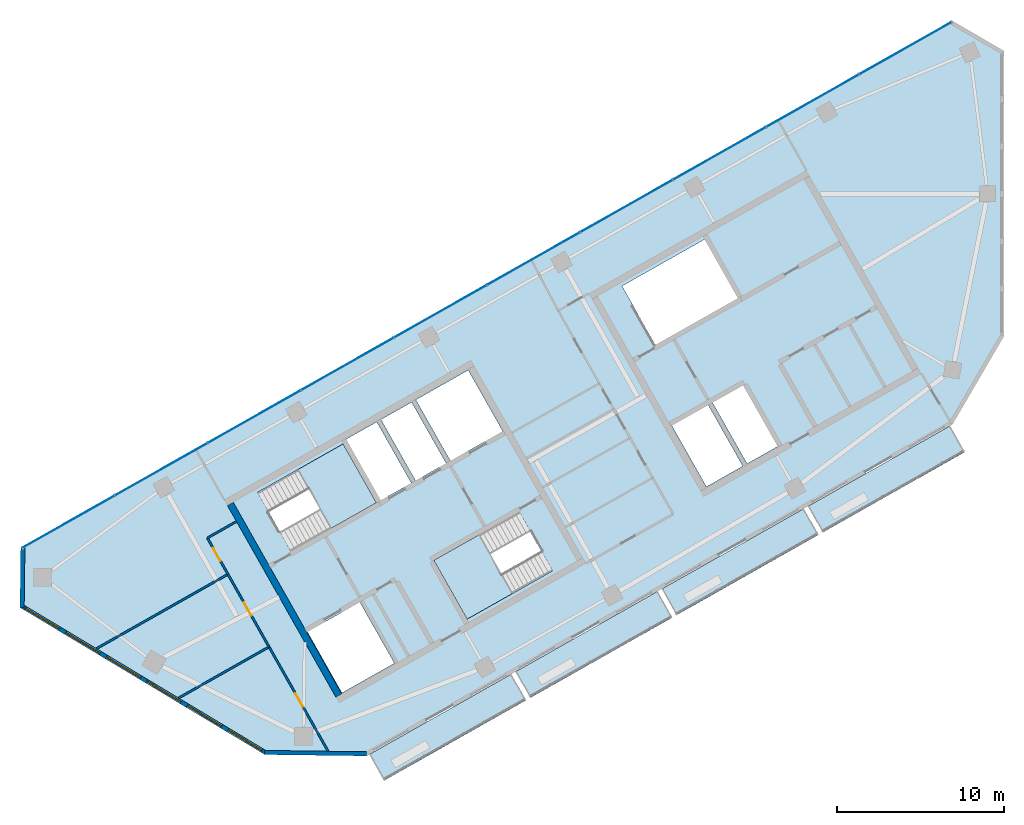
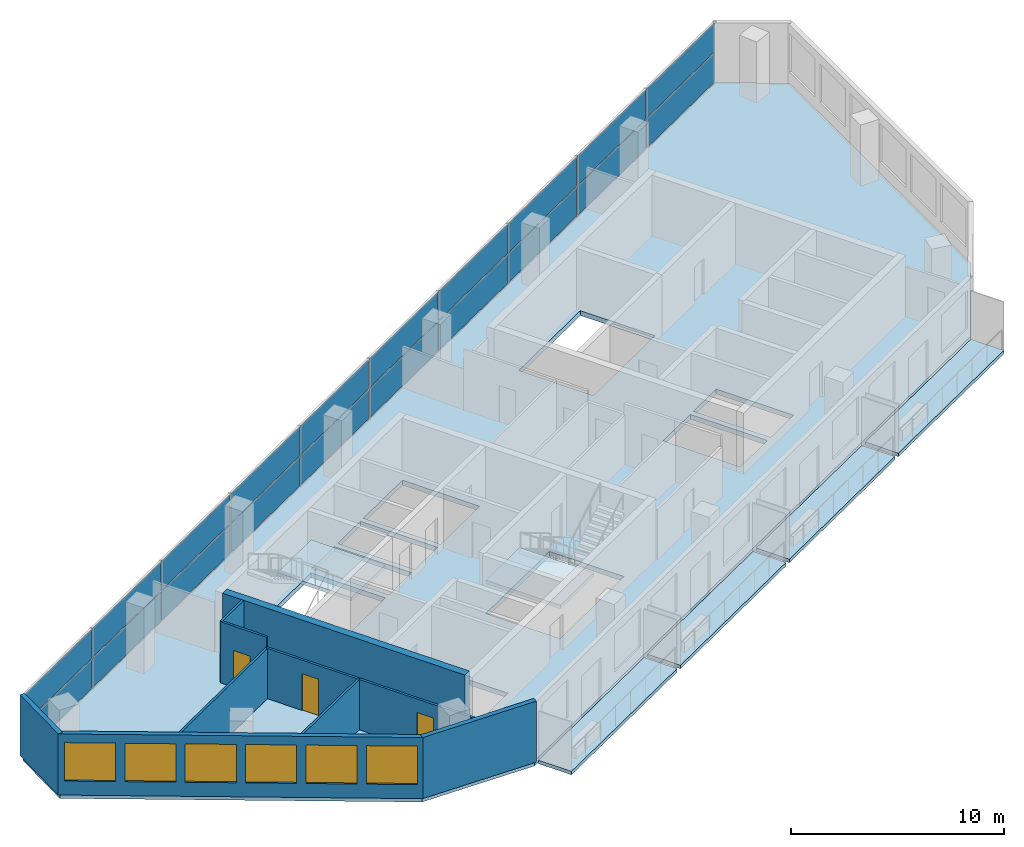
# One storey, part 5 of 10: 20 plates, 10 walls, 7 slabs, 6 windows, 3 doors, 9 openings, 3 elements without a shape of their own.
"""IFC4 building model written with IfcOpenShell, lengths in metres."""

from ifc_helpers import new_model, si_unit, direction, frame, frame_2d, origin, origin_2d, place, context, subcontext, project, spatial, polyline, rectangle, outline, extrude, material, layer, layer_set, type_object, element, fill, aggregate, save


model = new_model("IFC4")

# Units and contexts
model_context = context("Model", 3, precision=1e-05, world=origin(), true_north=direction((0.0, 1.0)))
body_context = subcontext(model_context, "Body", "Model", "MODEL_VIEW")
ifc_project = project(units=[si_unit("LENGTHUNIT", "METRE"), si_unit("AREAUNIT", "SQUARE_METRE"), si_unit("VOLUMEUNIT", "CUBIC_METRE"), si_unit("PLANEANGLEUNIT", "RADIAN"), si_unit("MASSUNIT", "GRAM", prefix="KILO")], contexts=[model_context])

# Site, building, storey
site_placement = place(None, origin())
site = spatial("IfcSite", under=ifc_project, at=site_placement, CompositionType="ELEMENT")
building_placement = place(site_placement, origin())
building = spatial("IfcBuilding", under=site, at=building_placement, Name="Binnacle Exchange Tower", CompositionType="ELEMENT")
storey_placement = place(building_placement, frame((0.0, 0.0, 343.10009765625)))
storey = spatial("IfcBuildingStorey", under=building, at=storey_placement, Name="L78", CompositionType="ELEMENT", Elevation=343.10009765625)

# Slabs
ifc_material_1 = material(Name="Concrete C35/45", Category="concrete")
ifc_layer_1 = layer(ifc_material_1, 0.199951171875)
ifc_layer_set_1 = layer_set([ifc_layer_1], Name="BALCONY SLAB 200")
slab_type_1 = type_object("IfcSlabType", Name="BALCONY SLAB 200", PredefinedType="FLOOR", material=ifc_layer_set_1)
slab_1_placement = place(storey_placement, frame((0.0, 0.0, -0.2001953125)))
element("IfcSlab", 1, at=slab_1_placement, inside=storey, type_object=slab_type_1, Name="Balcony BA-H07-00 L78", PredefinedType="FLOOR", context=body_context, shape_type="SweptSolid", body=[
    extrude(outline(polyline([(-37.90576171875, 26.410400390625), (-29.40380859375, 31.220458984375), (-28.517578125, 29.65380859375), (-37.019287109375, 24.84375), (-37.90576171875, 26.410400390625)])), origin(), (0.0, 0.0, 1.0), 0.2001953125),
])
slab_2_placement = place(storey_placement, frame((0.0, 0.0, -0.2001953125)))
element("IfcSlab", 2, at=slab_2_placement, inside=storey, type_object=slab_type_1, Name="Balcony BA-H07-01 L78", PredefinedType="FLOOR", context=body_context, shape_type="SweptSolid", body=[
    extrude(outline(polyline([(-29.142822265625, 31.3681640625), (-20.64111328125, 36.17822265625), (-19.754638671875, 34.611572265625), (-28.25634765625, 29.801513671875), (-29.142822265625, 31.3681640625)])), origin(), (0.0, 0.0, 1.0), 0.2001953125),
])
slab_3_placement = place(storey_placement, frame((0.0, 0.0, -0.2001953125)))
element("IfcSlab", 3, at=slab_3_placement, inside=storey, type_object=slab_type_1, Name="Balcony BA-H07-02 L78", PredefinedType="FLOOR", context=body_context, shape_type="SweptSolid", body=[
    extrude(outline(polyline([(-20.3798828125, 36.325927734375), (-11.878173828125, 41.135986328125), (-10.99169921875, 39.5693359375), (-19.493408203125, 34.759521484375), (-20.3798828125, 36.325927734375)])), origin(), (0.0, 0.0, 1.0), 0.2001953125),
])
slab_4_placement = place(storey_placement, frame((0.0, 0.0, -0.2001953125)))
element("IfcSlab", 4, at=slab_4_placement, inside=storey, type_object=slab_type_1, Name="Balcony BA-H07-03 L78", PredefinedType="FLOOR", context=body_context, shape_type="SweptSolid", body=[
    extrude(outline(polyline([(-11.616943359375, 41.28369140625), (-3.115234375, 46.093994140625), (-2.22900390625, 44.527099609375), (-10.730712890625, 39.717041015625), (-11.616943359375, 41.28369140625)])), origin(), (0.0, 0.0, 1.0), 0.2001953125),
])

# Curtain wall, plates
ifc_material_2 = material(Name="Bronze anodised aluminium frame", Category="aluminium")
curtain_wall_type = type_object("IfcCurtainWallType", Name="External wall - curtain wall executive floors", PredefinedType="NOTDEFINED", material=ifc_material_2)
curtain_wall_placement = place(storey_placement, origin())
curtain_wall = element("IfcCurtainWall", 5, at=curtain_wall_placement, inside=storey, type_object=curtain_wall_type, Name="External wall curtain wall CW4-H03 L78", PredefinedType="NOTDEFINED")
ifc_material_3 = material(Name="Glass", Category="glass")
ifc_layer_2 = layer(ifc_material_3, 0.031982421875)
ifc_layer_set_2 = layer_set([ifc_layer_2], Name="CW4 GLASS PANEL 32")
plate_type = type_object("IfcPlateType", Name="CW4 GLASS PANEL 32", PredefinedType="CURTAIN_PANEL", material=ifc_layer_set_2)
plate_1_placement = place(storey_placement, frame((-5.786376953125, 68.72607421875, 0.0498046875), z_axis=(0.0, 0.0, 1.0), x_axis=(-0.870355581136, -0.492423763019, 0.0)))
plate_1 = element("IfcPlate", 6, at=plate_1_placement, type_object=plate_type, Name="CW4-H03 panel 1.1", PredefinedType="CURTAIN_PANEL", context=body_context, shape_type="SweptSolid", body=[
    extrude(rectangle(XDim=6.30029296875, YDim=0.031982421875, at=origin_2d()), origin(), (0.0, 0.0, 1.0), 1.675048828125),
])
plate_2_placement = place(storey_placement, frame((-5.786376953125, 68.72607421875, 1.77490234375), z_axis=(0.0, 0.0, 1.0), x_axis=(-0.870355581136, -0.492423763019, 0.0)))
plate_2 = element("IfcPlate", 7, at=plate_2_placement, type_object=plate_type, Name="CW4-H03 panel 1.2", PredefinedType="CURTAIN_PANEL", context=body_context, shape_type="SweptSolid", body=[
    extrude(rectangle(XDim=6.30029296875, YDim=0.031982421875, at=origin_2d()), origin(), (0.0, 0.0, 1.0), 1.675048828125),
])
plate_3_placement = place(storey_placement, frame((-11.345947265625, 65.580810546875, 0.0498046875), z_axis=(0.0, 0.0, 1.0), x_axis=(-0.870355581136, -0.492423763019, 0.0)))
plate_3 = element("IfcPlate", 8, at=plate_3_placement, type_object=plate_type, Name="CW4-H03 panel 2.1", PredefinedType="CURTAIN_PANEL", context=body_context, shape_type="SweptSolid", body=[
    extrude(rectangle(XDim=6.335205078125, YDim=0.031982421875, at=origin_2d()), origin(), (0.0, 0.0, 1.0), 1.675048828125),
])
plate_4_placement = place(storey_placement, frame((-11.345947265625, 65.580810546875, 1.77490234375), z_axis=(0.0, 0.0, 1.0), x_axis=(-0.870355581136, -0.492423763019, 0.0)))
plate_4 = element("IfcPlate", 9, at=plate_4_placement, type_object=plate_type, Name="CW4-H03 panel 2.2", PredefinedType="CURTAIN_PANEL", context=body_context, shape_type="SweptSolid", body=[
    extrude(rectangle(XDim=6.335205078125, YDim=0.031982421875, at=origin_2d()), origin(), (0.0, 0.0, 1.0), 1.675048828125),
])
plate_5_placement = place(storey_placement, frame((-16.9208984375, 62.426513671875, 0.0498046875), z_axis=(0.0, 0.0, 1.0), x_axis=(-0.870355581136, -0.492423763019, 0.0)))
plate_5 = element("IfcPlate", 10, at=plate_5_placement, type_object=plate_type, Name="CW4-H03 panel 3.1", PredefinedType="CURTAIN_PANEL", context=body_context, shape_type="SweptSolid", body=[
    extrude(rectangle(XDim=6.335205078125, YDim=0.031982421875, at=origin_2d()), origin(), (0.0, 0.0, 1.0), 1.675048828125),
])
plate_6_placement = place(storey_placement, frame((-16.9208984375, 62.426513671875, 1.77490234375), z_axis=(0.0, 0.0, 1.0), x_axis=(-0.870355581136, -0.492423763019, 0.0)))
plate_6 = element("IfcPlate", 11, at=plate_6_placement, type_object=plate_type, Name="CW4-H03 panel 3.2", PredefinedType="CURTAIN_PANEL", context=body_context, shape_type="SweptSolid", body=[
    extrude(rectangle(XDim=6.335205078125, YDim=0.031982421875, at=origin_2d()), origin(), (0.0, 0.0, 1.0), 1.675048828125),
])
plate_7_placement = place(storey_placement, frame((-22.49560546875, 59.2724609375, 0.0498046875), z_axis=(0.0, 0.0, 1.0), x_axis=(-0.870355581136, -0.492423763019, 0.0)))
plate_7 = element("IfcPlate", 12, at=plate_7_placement, type_object=plate_type, Name="CW4-H03 panel 4.1", PredefinedType="CURTAIN_PANEL", context=body_context, shape_type="SweptSolid", body=[
    extrude(rectangle(XDim=6.335205078125, YDim=0.031982421875, at=origin_2d()), origin(), (0.0, 0.0, 1.0), 1.675048828125),
])
plate_8_placement = place(storey_placement, frame((-22.49560546875, 59.2724609375, 1.77490234375), z_axis=(0.0, 0.0, 1.0), x_axis=(-0.870355581136, -0.492423763019, 0.0)))
plate_8 = element("IfcPlate", 13, at=plate_8_placement, type_object=plate_type, Name="CW4-H03 panel 4.2", PredefinedType="CURTAIN_PANEL", context=body_context, shape_type="SweptSolid", body=[
    extrude(rectangle(XDim=6.335205078125, YDim=0.031982421875, at=origin_2d()), origin(), (0.0, 0.0, 1.0), 1.675048828125),
])
plate_9_placement = place(storey_placement, frame((-28.070556640625, 56.118408203125, 0.0498046875), z_axis=(0.0, 0.0, 1.0), x_axis=(-0.870355581136, -0.492423763019, 0.0)))
plate_9 = element("IfcPlate", 14, at=plate_9_placement, type_object=plate_type, Name="CW4-H03 panel 5.1", PredefinedType="CURTAIN_PANEL", context=body_context, shape_type="SweptSolid", body=[
    extrude(rectangle(XDim=6.335205078125, YDim=0.031982421875, at=origin_2d()), origin(), (0.0, 0.0, 1.0), 1.675048828125),
])
plate_10_placement = place(storey_placement, frame((-28.070556640625, 56.118408203125, 1.77490234375), z_axis=(0.0, 0.0, 1.0), x_axis=(-0.870355581136, -0.492423763019, 0.0)))
plate_10 = element("IfcPlate", 15, at=plate_10_placement, type_object=plate_type, Name="CW4-H03 panel 5.2", PredefinedType="CURTAIN_PANEL", context=body_context, shape_type="SweptSolid", body=[
    extrude(rectangle(XDim=6.335205078125, YDim=0.031982421875, at=origin_2d()), origin(), (0.0, 0.0, 1.0), 1.675048828125),
])
plate_11_placement = place(storey_placement, frame((-33.6455078125, 52.96435546875, 0.0498046875), z_axis=(0.0, 0.0, 1.0), x_axis=(-0.870355581136, -0.492423763019, 0.0)))
plate_11 = element("IfcPlate", 16, at=plate_11_placement, type_object=plate_type, Name="CW4-H03 panel 6.1", PredefinedType="CURTAIN_PANEL", context=body_context, shape_type="SweptSolid", body=[
    extrude(rectangle(XDim=6.335205078125, YDim=0.031982421875, at=origin_2d()), origin(), (0.0, 0.0, 1.0), 1.675048828125),
])
plate_12_placement = place(storey_placement, frame((-33.6455078125, 52.96435546875, 1.77490234375), z_axis=(0.0, 0.0, 1.0), x_axis=(-0.870355581136, -0.492423763019, 0.0)))
plate_12 = element("IfcPlate", 17, at=plate_12_placement, type_object=plate_type, Name="CW4-H03 panel 6.2", PredefinedType="CURTAIN_PANEL", context=body_context, shape_type="SweptSolid", body=[
    extrude(rectangle(XDim=6.335205078125, YDim=0.031982421875, at=origin_2d()), origin(), (0.0, 0.0, 1.0), 1.675048828125),
])
plate_13_placement = place(storey_placement, frame((-39.22021484375, 49.810302734375, 0.0498046875), z_axis=(0.0, 0.0, 1.0), x_axis=(-0.870355581136, -0.492423763019, 0.0)))
plate_13 = element("IfcPlate", 18, at=plate_13_placement, type_object=plate_type, Name="CW4-H03 panel 7.1", PredefinedType="CURTAIN_PANEL", context=body_context, shape_type="SweptSolid", body=[
    extrude(rectangle(XDim=6.335205078125, YDim=0.031982421875, at=origin_2d()), origin(), (0.0, 0.0, 1.0), 1.675048828125),
])
plate_14_placement = place(storey_placement, frame((-39.22021484375, 49.810302734375, 1.77490234375), z_axis=(0.0, 0.0, 1.0), x_axis=(-0.870355581136, -0.492423763019, 0.0)))
plate_14 = element("IfcPlate", 19, at=plate_14_placement, type_object=plate_type, Name="CW4-H03 panel 7.2", PredefinedType="CURTAIN_PANEL", context=body_context, shape_type="SweptSolid", body=[
    extrude(rectangle(XDim=6.335205078125, YDim=0.031982421875, at=origin_2d()), origin(), (0.0, 0.0, 1.0), 1.675048828125),
])
plate_15_placement = place(storey_placement, frame((-44.795166015625, 46.656005859375, 0.0498046875), z_axis=(0.0, 0.0, 1.0), x_axis=(-0.870355581136, -0.492423763019, 0.0)))
plate_15 = element("IfcPlate", 20, at=plate_15_placement, type_object=plate_type, Name="CW4-H03 panel 8.1", PredefinedType="CURTAIN_PANEL", context=body_context, shape_type="SweptSolid", body=[
    extrude(rectangle(XDim=6.335205078125, YDim=0.031982421875, at=origin_2d()), origin(), (0.0, 0.0, 1.0), 1.675048828125),
])
plate_16_placement = place(storey_placement, frame((-44.795166015625, 46.656005859375, 1.77490234375), z_axis=(0.0, 0.0, 1.0), x_axis=(-0.870355581136, -0.492423763019, 0.0)))
plate_16 = element("IfcPlate", 21, at=plate_16_placement, type_object=plate_type, Name="CW4-H03 panel 8.2", PredefinedType="CURTAIN_PANEL", context=body_context, shape_type="SweptSolid", body=[
    extrude(rectangle(XDim=6.335205078125, YDim=0.031982421875, at=origin_2d()), origin(), (0.0, 0.0, 1.0), 1.675048828125),
])
plate_17_placement = place(storey_placement, frame((-50.369873046875, 43.501953125, 0.0498046875), z_axis=(0.0, 0.0, 1.0), x_axis=(-0.870355581136, -0.492423763019, 0.0)))
plate_17 = element("IfcPlate", 22, at=plate_17_placement, type_object=plate_type, Name="CW4-H03 panel 9.1", PredefinedType="CURTAIN_PANEL", context=body_context, shape_type="SweptSolid", body=[
    extrude(rectangle(XDim=6.335205078125, YDim=0.031982421875, at=origin_2d()), origin(), (0.0, 0.0, 1.0), 1.675048828125),
])
plate_18_placement = place(storey_placement, frame((-50.369873046875, 43.501953125, 1.77490234375), z_axis=(0.0, 0.0, 1.0), x_axis=(-0.870355581136, -0.492423763019, 0.0)))
plate_18 = element("IfcPlate", 23, at=plate_18_placement, type_object=plate_type, Name="CW4-H03 panel 9.2", PredefinedType="CURTAIN_PANEL", context=body_context, shape_type="SweptSolid", body=[
    extrude(rectangle(XDim=6.335205078125, YDim=0.031982421875, at=origin_2d()), origin(), (0.0, 0.0, 1.0), 1.675048828125),
])
plate_19_placement = place(storey_placement, frame((-55.9296875, 40.3564453125, 0.0498046875), z_axis=(0.0, 0.0, 1.0), x_axis=(-0.870355581136, -0.492423763019, 0.0)))
plate_19 = element("IfcPlate", 24, at=plate_19_placement, type_object=plate_type, Name="CW4-H03 panel 10.1", PredefinedType="CURTAIN_PANEL", context=body_context, shape_type="SweptSolid", body=[
    extrude(rectangle(XDim=6.30029296875, YDim=0.031982421875, at=origin_2d()), origin(), (0.0, 0.0, 1.0), 1.675048828125),
])
plate_20_placement = place(storey_placement, frame((-55.9296875, 40.3564453125, 1.77490234375), z_axis=(0.0, 0.0, 1.0), x_axis=(-0.870355581136, -0.492423763019, 0.0)))
plate_20 = element("IfcPlate", 25, at=plate_20_placement, type_object=plate_type, Name="CW4-H03 panel 10.2", PredefinedType="CURTAIN_PANEL", context=body_context, shape_type="SweptSolid", body=[
    extrude(rectangle(XDim=6.30029296875, YDim=0.031982421875, at=origin_2d()), origin(), (0.0, 0.0, 1.0), 1.675048828125),
])
aggregate(curtain_wall, [plate_1, plate_2, plate_3, plate_4, plate_5, plate_6, plate_7, plate_8, plate_9, plate_10, plate_11, plate_12, plate_13, plate_14, plate_15, plate_16, plate_17, plate_18, plate_19, plate_20])

# Slab
ifc_layer_3 = layer(ifc_material_1, 0.280029296875)
ifc_layer_set_3 = layer_set([ifc_layer_3], Name="Floor slab 280 Concrete C35/45")
slab_type_2 = type_object("IfcSlabType", Name="Floor slab 280 Concrete C35/45", PredefinedType="FLOOR", material=ifc_layer_set_3)
slab_5_placement = place(storey_placement, frame((0.0, 0.0, -0.280029296875)))
element("IfcSlab", 26, at=slab_5_placement, inside=storey, type_object=slab_type_2, Name="S:SL:L78:01", PredefinedType="FLOOR", context=body_context, shape_type="SweptSolid", body=[
    extrude(outline(polyline([(-38.097900390625, 26.4453125), (-44.14404296875, 26.5244140625), (-58.716064453125, 35.280029296875), (-58.669921875, 38.80615234375), (-3.046142578125, 70.276611328125), (0.0, 68.5), (0.0, 51.5), (-3.046142578125, 46.276611328125), (-38.097900390625, 26.4453125)]), holes=[polyline([(-38.4794921875, 35.529296875), (-41.61279296875, 33.756591796875), (-39.544677734375, 30.10107421875), (-36.411376953125, 31.873779296875), (-38.4794921875, 35.529296875)]), polyline([(-32.04638671875, 34.515625), (-26.9287109375, 37.4111328125), (-28.923095703125, 40.93603515625), (-34.040771484375, 38.04052734375), (-32.04638671875, 34.515625)]), polyline([(-39.480712890625, 45.01611328125), (-44.598388671875, 42.12060546875), (-42.604248046875, 38.595703125), (-37.486572265625, 41.4912109375), (-39.480712890625, 45.01611328125)]), polyline([(-37.4658203125, 46.32861328125), (-39.293701171875, 45.29443359375), (-37.225341796875, 41.638916015625), (-35.397705078125, 42.673095703125), (-37.4658203125, 46.32861328125)]), polyline([(-17.598876953125, 47.343017578125), (-19.77490234375, 46.11181640625), (-17.70654296875, 42.456298828125), (-15.53076171875, 43.6875), (-17.598876953125, 47.343017578125)]), polyline([(-35.376953125, 47.51025390625), (-37.20458984375, 46.476318359375), (-35.136474609375, 42.82080078125), (-33.308837890625, 43.854736328125), (-35.376953125, 47.51025390625)]), polyline([(-15.510009765625, 48.52490234375), (-17.337890625, 47.49072265625), (-15.26953125, 43.835205078125), (-13.44189453125, 44.869384765625), (-15.510009765625, 48.52490234375)]), polyline([(-29.914306640625, 45.775390625), (-31.982666015625, 49.430908203125), (-35.115966796875, 47.657958984375), (-33.047607421875, 44.00244140625), (-29.914306640625, 45.775390625)]), polyline([(-15.822509765625, 53.748046875), (-17.81689453125, 57.27294921875), (-22.760498046875, 54.47607421875), (-20.76611328125, 50.950927734375), (-15.822509765625, 53.748046875)])]), origin(), (0.0, 0.0, 1.0), 0.280029296875),
])

# Stair, slab
stair_type = type_object("IfcStairType", Name="STAIR 22 RISERS 173", PredefinedType="HALF_TURN_STAIR", material=ifc_material_1)
stair_1_placement = place(storey_placement, origin())
stair_1 = element("IfcStair", 27, at=stair_1_placement, inside=storey, type_object=stair_type, Name="L78 Escape stair A1", PredefinedType="HALF_TURN_STAIR")
ifc_layer_4 = layer(ifc_material_1, 0.199951171875)
ifc_layer_set_4 = layer_set([ifc_layer_4], Name="STAIR LANDING 200")
slab_type_3 = type_object("IfcSlabType", Name="STAIR LANDING 200", PredefinedType="LANDING", material=ifc_layer_set_4)
slab_6_placement = place(storey_placement, frame((0.0, 0.0, 1.699951171875)))
slab_6 = element("IfcSlab", 28, at=slab_6_placement, type_object=slab_type_3, Name="STA1 landing 1", PredefinedType="LANDING", context=body_context, shape_type="SweptSolid", body=[
    extrude(outline(polyline([(-40.2021484375, 39.954833984375), (-37.486572265625, 41.4912109375), (-39.48095703125, 45.01611328125), (-42.1962890625, 43.479736328125), (-40.2021484375, 39.954833984375)])), origin(), (0.0, 0.0, 1.0), 0.199951171875),
])
aggregate(stair_1, [slab_6])

stair_2_placement = place(storey_placement, origin())
stair_2 = element("IfcStair", 29, at=stair_2_placement, inside=storey, type_object=stair_type, Name="L78 Escape stair A2", PredefinedType="HALF_TURN_STAIR")
slab_7_placement = place(storey_placement, frame((0.0, 0.0, 1.699951171875)))
slab_7 = element("IfcSlab", 30, at=slab_7_placement, type_object=slab_type_3, Name="STA2 landing 1", PredefinedType="LANDING", context=body_context, shape_type="SweptSolid", body=[
    extrude(outline(polyline([(-31.3251953125, 39.576904296875), (-34.040771484375, 38.04052734375), (-32.04638671875, 34.515625), (-29.330810546875, 36.052001953125), (-31.3251953125, 39.576904296875)])), origin(), (0.0, 0.0, 1.0), 0.199951171875),
])
aggregate(stair_2, [slab_7])

# Walls
ifc_material_4 = material(Name="Concrete C70/85", Category="concrete")
ifc_layer_5 = layer(ifc_material_4, 0.39990234375)
ifc_layer_set_5 = layer_set([ifc_layer_5], Name="Core wall - outer 400")
wall_type_1 = type_object("IfcWallType", Name="Core wall - outer 400", PredefinedType="SOLIDWALL", material=ifc_layer_set_5)
wall_1_placement = place(storey_placement, frame((-46.237548828125, 41.423095703125, 0.0), z_axis=(0.0, 0.0, 1.0), x_axis=(0.492421663121, -0.870356769198, 0.0)))
element("IfcWall", 31, at=wall_1_placement, inside=storey, type_object=wall_type_1, Name="Core wall CRWA7", PredefinedType="SOLIDWALL", context=body_context, shape_type="SweptSolid", body=[
    extrude(rectangle(XDim=13.199951171875, YDim=0.39990234375, at=frame_2d((6.60009765625, 0.0))), origin(), (0.0, 0.0, 1.0), 3.5),
])
ifc_material_5 = material(Name="Bronze aluminium cladding", Category="aluminium")
ifc_layer_6 = layer(ifc_material_5, 0.25)
ifc_layer_set_6 = layer_set([ifc_layer_6], Name="External wall - window wall 250")
wall_type_2 = type_object("IfcWallType", Name="External wall - window wall 250", PredefinedType="STANDARD", material=ifc_layer_set_6)
wall_2_placement = place(storey_placement, frame((-58.717041015625, 35.208251953125, 0.0), z_axis=(0.0, 0.0, 1.0), x_axis=(0.01310512158, 0.999914124207, 0.0)))
element("IfcWall", 32, at=wall_2_placement, inside=storey, type_object=wall_type_2, Name="External wall EW-H04 L78", PredefinedType="STANDARD", context=body_context, shape_type="SweptSolid", body=[
    extrude(rectangle(XDim=3.669921875, YDim=0.25, at=frame_2d((1.8349609375, 0.0))), origin(), (0.0, 0.0, 1.0), 3.5),
])

# Wall, openings, windows
wall_3_placement = place(storey_placement, frame((-44.115234375, 26.507080078125, 0.0), z_axis=(0.0, 0.0, 1.0), x_axis=(-0.857166583633, 0.515039268311, 0.0)))
wall_3 = element("IfcWall", 33, at=wall_3_placement, inside=storey, type_object=wall_type_2, Name="External wall EW-H05 L78", PredefinedType="STANDARD", context=body_context, shape_type="SweptSolid", body=[
    extrude(rectangle(XDim=17.105712890625, YDim=0.25, at=frame_2d((8.552734375, 0.0))), origin(), (0.0, 0.0, 1.0), 3.5),
])
opening_1_placement = place(wall_3_placement, frame((14.4169921875, 0.0, 0.800048828125)))
opening_1 = element("IfcOpeningElement", 34, at=opening_1_placement, cuts=wall_3, Name="Opening WR2", PredefinedType="OPENING", context=body_context, shape_type="SweptSolid", body=[
    extrude(rectangle(XDim=2.39990234375, YDim=2.199951171875, at=frame_2d((1.199951171875, 1.10009765625))), frame((0.0, 0.135009765625, 0.0), z_axis=(0.0, -1.0, 0.0), x_axis=(1.0, 0.0, 0.0)), (0.0, 0.0, 1.0), 0.27001953125),
])
opening_2_placement = place(wall_3_placement, frame((11.583740234375, 0.0, 0.800048828125)))
opening_2 = element("IfcOpeningElement", 35, at=opening_2_placement, cuts=wall_3, Name="Opening WR2", PredefinedType="OPENING", context=body_context, shape_type="SweptSolid", body=[
    extrude(rectangle(XDim=2.39990234375, YDim=2.199951171875, at=frame_2d((1.199951171875, 1.10009765625))), frame((0.0, 0.135009765625, 0.0), z_axis=(0.0, -1.0, 0.0), x_axis=(1.0, 0.0, 0.0)), (0.0, 0.0, 1.0), 0.27001953125),
])
opening_3_placement = place(wall_3_placement, frame((8.75048828125, 0.0, 0.800048828125)))
opening_3 = element("IfcOpeningElement", 36, at=opening_3_placement, cuts=wall_3, Name="Opening WR2", PredefinedType="OPENING", context=body_context, shape_type="SweptSolid", body=[
    extrude(rectangle(XDim=2.39990234375, YDim=2.199951171875, at=frame_2d((1.199951171875, 1.10009765625))), frame((0.0, 0.135009765625, 0.0), z_axis=(0.0, -1.0, 0.0), x_axis=(1.0, 0.0, 0.0)), (0.0, 0.0, 1.0), 0.27001953125),
])
opening_4_placement = place(wall_3_placement, frame((5.9169921875, 0.0, 0.800048828125)))
opening_4 = element("IfcOpeningElement", 37, at=opening_4_placement, cuts=wall_3, Name="Opening WR2", PredefinedType="OPENING", context=body_context, shape_type="SweptSolid", body=[
    extrude(rectangle(XDim=2.39990234375, YDim=2.199951171875, at=frame_2d((1.199951171875, 1.10009765625))), frame((0.0, 0.135009765625, 0.0), z_axis=(0.0, -1.0, 0.0), x_axis=(1.0, 0.0, 0.0)), (0.0, 0.0, 1.0), 0.27001953125),
])
opening_5_placement = place(wall_3_placement, frame((3.083740234375, 0.0, 0.800048828125)))
opening_5 = element("IfcOpeningElement", 38, at=opening_5_placement, cuts=wall_3, Name="Opening WR2", PredefinedType="OPENING", context=body_context, shape_type="SweptSolid", body=[
    extrude(rectangle(XDim=2.39990234375, YDim=2.199951171875, at=frame_2d((1.199951171875, 1.10009765625))), frame((0.0, 0.135009765625, 0.0), z_axis=(0.0, -1.0, 0.0), x_axis=(1.0, 0.0, 0.0)), (0.0, 0.0, 1.0), 0.27001953125),
])
opening_6_placement = place(wall_3_placement, frame((0.25048828125, 0.0, 0.800048828125)))
opening_6 = element("IfcOpeningElement", 39, at=opening_6_placement, cuts=wall_3, Name="Opening WR2", PredefinedType="OPENING", context=body_context, shape_type="SweptSolid", body=[
    extrude(rectangle(XDim=2.39990234375, YDim=2.199951171875, at=frame_2d((1.199951171875, 1.10009765625))), frame((0.0, 0.135009765625, 0.0), z_axis=(0.0, -1.0, 0.0), x_axis=(1.0, 0.0, 0.0)), (0.0, 0.0, 1.0), 0.27001953125),
])
window_type = type_object("IfcWindowType", Name="WR2 WINDOW 2400x2200", PartitioningType="SINGLE_PANEL", PredefinedType="WINDOW", material=ifc_material_2)
window_1_placement = place(opening_1_placement, origin())
window_1 = element("IfcWindow", 40, at=window_1_placement, inside=storey, type_object=window_type, Name="Window WR2 L78", OverallHeight=2.199951171875, OverallWidth=2.39990234375, PartitioningType="SINGLE_PANEL", PredefinedType="WINDOW", context=body_context, shape_type="SweptSolid", body=[
    extrude(rectangle(XDim=2.39990234375, YDim=2.199951171875, at=frame_2d((1.199951171875, 1.10009765625))), frame((0.0, 0.030029296875, 0.0), z_axis=(0.0, -1.0, 0.0), x_axis=(1.0, 0.0, 0.0)), (0.0, 0.0, 1.0), 0.06005859375),
])
fill(opening_1, window_1)
window_2_placement = place(opening_2_placement, origin())
window_2 = element("IfcWindow", 41, at=window_2_placement, inside=storey, type_object=window_type, Name="Window WR2 L78", OverallHeight=2.199951171875, OverallWidth=2.39990234375, PartitioningType="SINGLE_PANEL", PredefinedType="WINDOW", context=body_context, shape_type="SweptSolid", body=[
    extrude(rectangle(XDim=2.39990234375, YDim=2.199951171875, at=frame_2d((1.199951171875, 1.10009765625))), frame((0.0, 0.030029296875, 0.0), z_axis=(0.0, -1.0, 0.0), x_axis=(1.0, 0.0, 0.0)), (0.0, 0.0, 1.0), 0.06005859375),
])
fill(opening_2, window_2)
window_3_placement = place(opening_3_placement, origin())
window_3 = element("IfcWindow", 42, at=window_3_placement, inside=storey, type_object=window_type, Name="Window WR2 L78", OverallHeight=2.199951171875, OverallWidth=2.39990234375, PartitioningType="SINGLE_PANEL", PredefinedType="WINDOW", context=body_context, shape_type="SweptSolid", body=[
    extrude(rectangle(XDim=2.39990234375, YDim=2.199951171875, at=frame_2d((1.199951171875, 1.10009765625))), frame((0.0, 0.030029296875, 0.0), z_axis=(0.0, -1.0, 0.0), x_axis=(1.0, 0.0, 0.0)), (0.0, 0.0, 1.0), 0.06005859375),
])
fill(opening_3, window_3)
window_4_placement = place(opening_4_placement, origin())
window_4 = element("IfcWindow", 43, at=window_4_placement, inside=storey, type_object=window_type, Name="Window WR2 L78", OverallHeight=2.199951171875, OverallWidth=2.39990234375, PartitioningType="SINGLE_PANEL", PredefinedType="WINDOW", context=body_context, shape_type="SweptSolid", body=[
    extrude(rectangle(XDim=2.39990234375, YDim=2.199951171875, at=frame_2d((1.199951171875, 1.10009765625))), frame((0.0, 0.030029296875, 0.0), z_axis=(0.0, -1.0, 0.0), x_axis=(1.0, 0.0, 0.0)), (0.0, 0.0, 1.0), 0.06005859375),
])
fill(opening_4, window_4)
window_5_placement = place(opening_5_placement, origin())
window_5 = element("IfcWindow", 44, at=window_5_placement, inside=storey, type_object=window_type, Name="Window WR2 L78", OverallHeight=2.199951171875, OverallWidth=2.39990234375, PartitioningType="SINGLE_PANEL", PredefinedType="WINDOW", context=body_context, shape_type="SweptSolid", body=[
    extrude(rectangle(XDim=2.39990234375, YDim=2.199951171875, at=frame_2d((1.199951171875, 1.10009765625))), frame((0.0, 0.030029296875, 0.0), z_axis=(0.0, -1.0, 0.0), x_axis=(1.0, 0.0, 0.0)), (0.0, 0.0, 1.0), 0.06005859375),
])
fill(opening_5, window_5)
window_6_placement = place(opening_6_placement, origin())
window_6 = element("IfcWindow", 45, at=window_6_placement, inside=storey, type_object=window_type, Name="Window WR2 L78", OverallHeight=2.199951171875, OverallWidth=2.39990234375, PartitioningType="SINGLE_PANEL", PredefinedType="WINDOW", context=body_context, shape_type="SweptSolid", body=[
    extrude(rectangle(XDim=2.39990234375, YDim=2.199951171875, at=frame_2d((1.199951171875, 1.10009765625))), frame((0.0, 0.030029296875, 0.0), z_axis=(0.0, -1.0, 0.0), x_axis=(1.0, 0.0, 0.0)), (0.0, 0.0, 1.0), 0.06005859375),
])
fill(opening_6, window_6)

# Walls
wall_4_placement = place(storey_placement, frame((-38.06396484375, 26.44482421875, 0.0), z_axis=(0.0, 0.0, 1.0), x_axis=(-0.999914239143, 0.013096349097, 0.0)))
element("IfcWall", 46, at=wall_4_placement, inside=storey, type_object=wall_type_2, Name="External wall EW-H06 L78", PredefinedType="STANDARD", context=body_context, shape_type="SweptSolid", body=[
    extrude(rectangle(XDim=6.114501953125, YDim=0.25, at=frame_2d((3.05712890625, 0.0))), origin(), (0.0, 0.0, 1.0), 3.5),
])
ifc_material_6 = material(Name="Gypsum partition")
ifc_layer_7 = layer(ifc_material_6, 0.125)
ifc_layer_set_7 = layer_set([ifc_layer_7], Name="Partition 125")
wall_type_3 = type_object("IfcWallType", Name="Partition 125", PredefinedType="PARTITIONING", material=ifc_layer_set_7)
wall_5_placement = place(storey_placement, frame((-54.260009765625, 32.7490234375, 0.0), z_axis=(0.0, 0.0, 1.0), x_axis=(0.870418654615, 0.492312264419, 0.0)))
element("IfcWall", 47, at=wall_5_placement, inside=storey, type_object=wall_type_3, Name="Partition W01", PredefinedType="PARTITIONING", context=body_context, shape_type="SweptSolid", body=[
    extrude(rectangle(XDim=9.05322265625, YDim=0.125, at=frame_2d((4.526611328125, 0.0))), origin(), (0.0, 0.0, 1.0), 2.8798828125),
])
wall_6_placement = place(storey_placement, frame((-49.3349609375, 29.7900390625, 0.0), z_axis=(0.0, 0.0, 1.0), x_axis=(0.870383085237, 0.492375146542, 0.0)))
element("IfcWall", 48, at=wall_6_placement, inside=storey, type_object=wall_type_3, Name="Partition W02", PredefinedType="PARTITIONING", context=body_context, shape_type="SweptSolid", body=[
    extrude(rectangle(XDim=6.224853515625, YDim=0.125, at=frame_2d((3.1123046875, 0.0))), origin(), (0.0, 0.0, 1.0), 2.8798828125),
])

# Wall, opening, door
wall_7_placement = place(storey_placement, frame((-47.611083984375, 39.382080078125, 0.0), z_axis=(0.0, 0.0, 1.0), x_axis=(0.49244332707, -0.870344512032, 0.0)))
wall_7 = element("IfcWall", 49, at=wall_7_placement, inside=storey, type_object=wall_type_3, Name="Partition W04", PredefinedType="PARTITIONING", context=body_context, shape_type="SweptSolid", body=[
    extrude(rectangle(XDim=2.500244140625, YDim=0.125, at=frame_2d((1.25, 0.0))), origin(), (0.0, 0.0, 1.0), 3.5),
])
opening_7_placement = place(wall_7_placement, frame((0.699951171875, 0.0, 0.0)))
opening_7 = element("IfcOpeningElement", 50, at=opening_7_placement, cuts=wall_7, Name="Opening DL77-07", PredefinedType="OPENING", context=body_context, shape_type="SweptSolid", body=[
    extrude(rectangle(XDim=0.89990234375, YDim=2.10009765625, at=frame_2d((0.449951171875, 1.050048828125))), frame((0.0, 0.072509765625, 0.0), z_axis=(0.0, -1.0, 0.0), x_axis=(1.0, 0.0, 0.0)), (0.0, 0.0, 1.0), 0.14501953125),
])
ifc_material_7 = material(Name="Timber door leaf", Category="wood")
door_type = type_object("IfcDoorType", Name="Door 900", OperationType="NOTDEFINED", PredefinedType="DOOR", material=ifc_material_7)
door_1_placement = place(opening_7_placement, frame((0.89990234375, 0.0, 0.0), z_axis=(0.0, 0.0, 1.0), x_axis=(-1.0, 0.0, 0.0)))
door_1 = element("IfcDoor", 51, at=door_1_placement, inside=storey, type_object=door_type, Name="Door DL77-07", OperationType="SINGLE_SWING_RIGHT", OverallHeight=2.10009765625, OverallWidth=0.89990234375, PredefinedType="DOOR", context=body_context, shape_type="SweptSolid", body=[
    extrude(rectangle(XDim=0.89990234375, YDim=2.10009765625, at=frame_2d((0.449951171875, 1.050048828125))), frame((0.0, 0.02490234375, 0.0), z_axis=(0.0, -1.0, 0.0), x_axis=(1.0, 0.0, 0.0)), (0.0, 0.0, 1.0), 0.050048828125),
])
fill(opening_7, door_1)

# Wall
wall_8_placement = place(storey_placement, frame((-47.611083984375, 39.382080078125, 0.0), z_axis=(0.0, 0.0, 1.0), x_axis=(0.870383193662, 0.492374954878, 0.0)))
element("IfcWall", 52, at=wall_8_placement, inside=storey, type_object=wall_type_3, Name="Partition W05", PredefinedType="PARTITIONING", context=body_context, shape_type="SweptSolid", body=[
    extrude(rectangle(XDim=2.000244140625, YDim=0.125, at=frame_2d((1.0, 0.0))), origin(), (0.0, 0.0, 1.0), 3.5),
])

# Wall, opening, door
wall_9_placement = place(storey_placement, frame((-46.3798828125, 37.2060546875, 0.0), z_axis=(0.0, 0.0, 1.0), x_axis=(0.49260101091, -0.870255275221, 0.0)))
wall_9 = element("IfcWall", 53, at=wall_9_placement, inside=storey, type_object=wall_type_3, Name="Partition W06", PredefinedType="PARTITIONING", context=body_context, shape_type="SweptSolid", body=[
    extrude(rectangle(XDim=4.999755859375, YDim=0.125, at=frame_2d((2.5, 0.0))), origin(), (0.0, 0.0, 1.0), 2.8798828125),
])
opening_8_placement = place(wall_9_placement, frame((1.949951171875, 0.0, 0.0)))
opening_8 = element("IfcOpeningElement", 54, at=opening_8_placement, cuts=wall_9, Name="Opening DL77-06", PredefinedType="OPENING", context=body_context, shape_type="SweptSolid", body=[
    extrude(rectangle(XDim=0.89990234375, YDim=2.10009765625, at=frame_2d((0.449951171875, 1.050048828125))), frame((0.0, 0.072509765625, 0.0), z_axis=(0.0, -1.0, 0.0), x_axis=(1.0, 0.0, 0.0)), (0.0, 0.0, 1.0), 0.14501953125),
])
door_2_placement = place(opening_8_placement, frame((0.89990234375, 0.0, 0.0), z_axis=(0.0, 0.0, 1.0), x_axis=(-1.0, 0.0, 0.0)))
door_2 = element("IfcDoor", 55, at=door_2_placement, inside=storey, type_object=door_type, Name="Door DL77-06", OperationType="SINGLE_SWING_RIGHT", OverallHeight=2.10009765625, OverallWidth=0.89990234375, PredefinedType="DOOR", context=body_context, shape_type="SweptSolid", body=[
    extrude(rectangle(XDim=0.89990234375, YDim=2.10009765625, at=frame_2d((0.449951171875, 1.050048828125))), frame((0.0, 0.02490234375, 0.0), z_axis=(0.0, -1.0, 0.0), x_axis=(1.0, 0.0, 0.0)), (0.0, 0.0, 1.0), 0.050048828125),
])
fill(opening_8, door_2)

wall_10_placement = place(storey_placement, frame((-43.9169921875, 32.85498046875, 0.0), z_axis=(0.0, 0.0, 1.0), x_axis=(0.492446757002, -0.870342571358, 0.0)))
wall_10 = element("IfcWall", 56, at=wall_10_placement, inside=storey, type_object=wall_type_3, Name="Partition W07", PredefinedType="PARTITIONING", context=body_context, shape_type="SweptSolid", body=[
    extrude(rectangle(XDim=7.186767578125, YDim=0.125, at=frame_2d((3.59326171875, 0.0))), origin(), (0.0, 0.0, 1.0), 2.8798828125),
])
opening_9_placement = place(wall_10_placement, frame((3.199951171875, 0.0, 0.0)))
opening_9 = element("IfcOpeningElement", 57, at=opening_9_placement, cuts=wall_10, Name="Opening DL77-05", PredefinedType="OPENING", context=body_context, shape_type="SweptSolid", body=[
    extrude(rectangle(XDim=0.89990234375, YDim=2.10009765625, at=frame_2d((0.449951171875, 1.050048828125))), frame((0.0, 0.072509765625, 0.0), z_axis=(0.0, -1.0, 0.0), x_axis=(1.0, 0.0, 0.0)), (0.0, 0.0, 1.0), 0.14501953125),
])
door_3_placement = place(opening_9_placement, frame((0.89990234375, 0.0, 0.0), z_axis=(0.0, 0.0, 1.0), x_axis=(-1.0, 0.0, 0.0)))
door_3 = element("IfcDoor", 58, at=door_3_placement, inside=storey, type_object=door_type, Name="Door DL77-05", OperationType="SINGLE_SWING_LEFT", OverallHeight=2.10009765625, OverallWidth=0.89990234375, PredefinedType="DOOR", context=body_context, shape_type="SweptSolid", body=[
    extrude(rectangle(XDim=0.89990234375, YDim=2.10009765625, at=frame_2d((0.449951171875, 1.050048828125))), frame((0.0, 0.02490234375, 0.0), z_axis=(0.0, -1.0, 0.0), x_axis=(1.0, 0.0, 0.0)), (0.0, 0.0, 1.0), 0.050048828125),
])
fill(opening_9, door_3)

save(model, "model.ifc")
